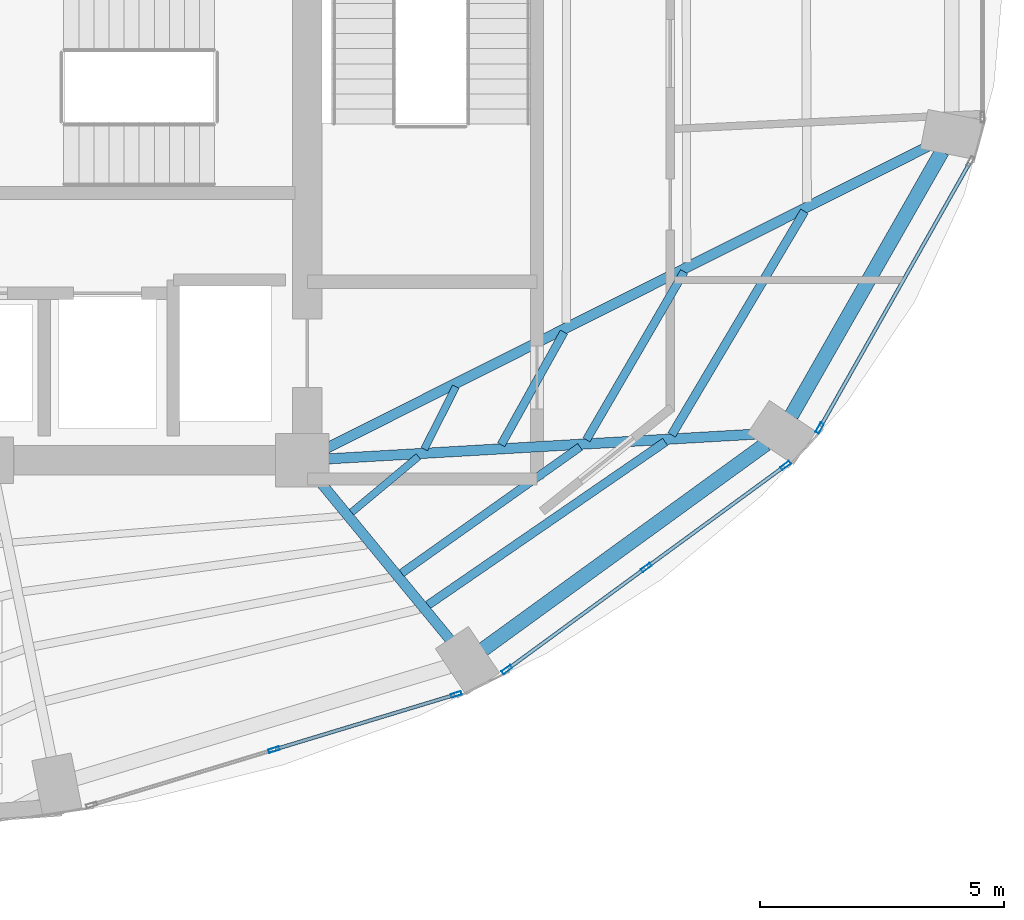
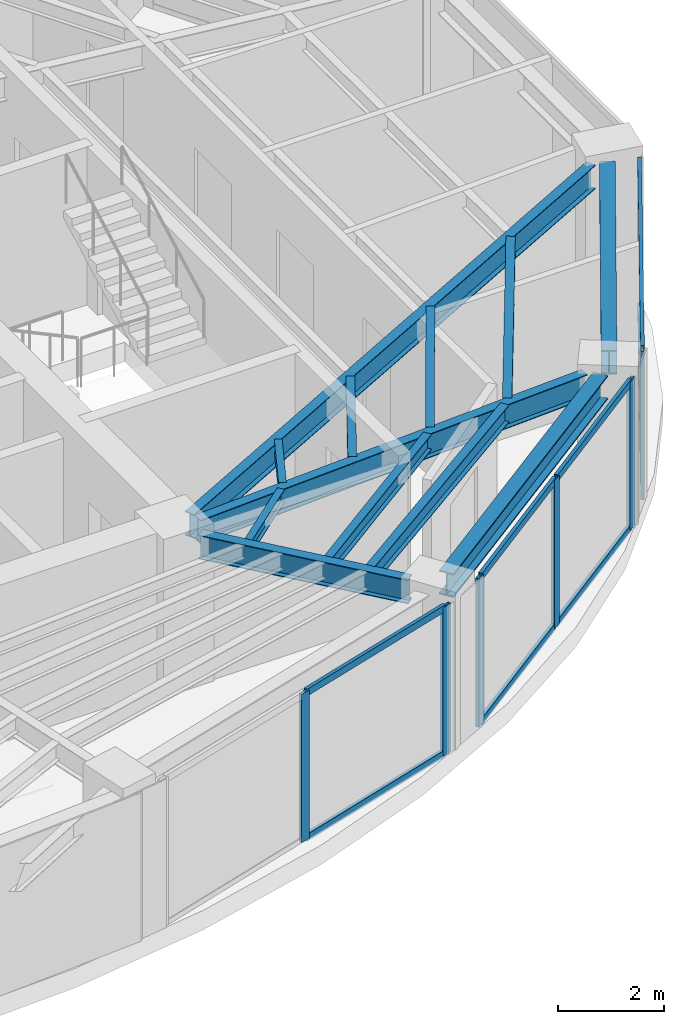
# One storey, part 9 of 20: 14 members, 12 beams, 3 elements without a shape of their own.
"""IFC4 building model written with IfcOpenShell, lengths in metres."""

from ifc_helpers import new_model, si_unit, direction, frame, origin, origin_2d, place, context, subcontext, project, spatial, hollow_rectangle, i_section, extrude, material, layer, layer_set, material_profile, profile_set, type_object, element, aggregate, save


model = new_model("IFC4")

# Units and contexts
model_context = context("Model", 3, precision=1e-05, world=origin(), true_north=direction((0.0, 1.0)))
body_context = subcontext(model_context, "Body", "Model", "MODEL_VIEW")
ifc_project = project(units=[si_unit("LENGTHUNIT", "METRE"), si_unit("AREAUNIT", "SQUARE_METRE"), si_unit("VOLUMEUNIT", "CUBIC_METRE"), si_unit("PLANEANGLEUNIT", "RADIAN"), si_unit("MASSUNIT", "GRAM", prefix="KILO")], contexts=[model_context])

# Site, building, storey
site_placement = place(None, origin())
site = spatial("IfcSite", under=ifc_project, at=site_placement, CompositionType="ELEMENT")
building_placement = place(site_placement, origin())
building = spatial("IfcBuilding", under=site, at=building_placement, Name="Lazwardi Medical Tower", CompositionType="ELEMENT")
storey_placement = place(building_placement, frame((0.0, 0.0, 138.2880859375)))
storey = spatial("IfcBuildingStorey", under=building, at=storey_placement, Name="L35", CompositionType="ELEMENT", Elevation=138.2880859375)

# Beams
ifc_material_1 = material(Name="Steel S355", Category="steel")
ifc_material_profile_1 = material_profile(ifc_material_1, i_section(OverallWidth=0.300048828125, OverallDepth=0.550048828125, WebThickness=0.014892578125, FlangeThickness=0.029052734375, at=origin_2d()), Name="HEB 550")
ifc_profile_set_1 = profile_set([ifc_material_profile_1], Name="Steel S355")
beam_type_1 = type_object("IfcBeamType", Name="BM-RB-Z3", PredefinedType="BEAM", material=ifc_profile_set_1)
beam_1_placement = place(storey_placement, frame((49.310302734375, 16.520751953125, 3.15283203125), z_axis=(0.809127570774, 0.587633026824, 0.0), x_axis=(-0.587633026824, 0.809127570774, 0.0)))
element("IfcBeam", 1, at=beam_1_placement, inside=storey, type_object=beam_type_1, Name="Ring beam RB-04 B02 L35", PredefinedType="BEAM", context=body_context, shape_type="SweptSolid", body=[
    extrude(i_section(OverallWidth=0.300048828125, OverallDepth=0.550048828125, WebThickness=0.014892578125, FlangeThickness=0.029052734375, at=origin_2d()), origin(), (0.0, 0.0, 1.0), 7.170166015625),
])
beam_2_placement = place(storey_placement, frame((55.6337890625, 21.316650390625, 3.15283203125), z_axis=(0.495477752551, 0.868620628771, 0.0), x_axis=(-0.868620628771, 0.495477752551, 0.0)))
element("IfcBeam", 2, at=beam_2_placement, inside=storey, type_object=beam_type_1, Name="Ring beam RB-04 B03 L35", PredefinedType="BEAM", context=body_context, shape_type="SweptSolid", body=[
    extrude(i_section(OverallWidth=0.300048828125, OverallDepth=0.550048828125, WebThickness=0.014892578125, FlangeThickness=0.029052734375, at=origin_2d()), origin(), (0.0, 0.0, 1.0), 6.244384765625),
])
ifc_material_profile_2 = material_profile(ifc_material_1, i_section(OverallWidth=0.2099609375, OverallDepth=0.550048828125, WebThickness=0.010986328125, FlangeThickness=0.01708984375, at=origin_2d()), Name="IPE 550")
ifc_profile_set_2 = profile_set([ifc_material_profile_2], Name="Steel S355")
beam_type_2 = type_object("IfcBeamType", Name="BM-RG-W2", PredefinedType="BEAM", material=ifc_profile_set_2)
beam_3_placement = place(storey_placement, frame((48.630615234375, 16.71826171875, 3.15283203125), z_axis=(-0.635555639966, 0.772055068312, 0.0), x_axis=(-0.772055068312, -0.635555639966, 0.0)))
element("IfcBeam", 3, at=beam_3_placement, inside=storey, type_object=beam_type_2, Name="Radial girder RG-03 R02 L35", PredefinedType="BEAM", context=body_context, shape_type="SweptSolid", body=[
    extrude(i_section(OverallWidth=0.2099609375, OverallDepth=0.550048828125, WebThickness=0.010986328125, FlangeThickness=0.01708984375, at=origin_2d()), origin(), (0.0, 0.0, 1.0), 4.233642578125),
])
beam_4_placement = place(storey_placement, frame((54.87646484375, 20.936767578125, 3.15283203125), z_axis=(-0.998330154646, -0.057765927014, 0.0), x_axis=(0.057765927014, -0.998330154646, 0.0)))
element("IfcBeam", 4, at=beam_4_placement, inside=storey, type_object=beam_type_2, Name="Radial girder RG-03 R03 L35", PredefinedType="BEAM", context=body_context, shape_type="SweptSolid", body=[
    extrude(i_section(OverallWidth=0.2099609375, OverallDepth=0.550048828125, WebThickness=0.010986328125, FlangeThickness=0.01708984375, at=origin_2d()), origin(), (0.0, 0.0, 1.0), 8.757080078125),
])
beam_5_placement = place(storey_placement, frame((58.42529296875, 26.837158203125, 3.15283203125), z_axis=(-0.893740468624, -0.448584412061, 0.0), x_axis=(0.448584412061, -0.893740468624, 0.0)))
element("IfcBeam", 5, at=beam_5_placement, inside=storey, type_object=beam_type_2, Name="Radial girder RG-03 R04 L35", PredefinedType="BEAM", context=body_context, shape_type="SweptSolid", body=[
    extrude(i_section(OverallWidth=0.2099609375, OverallDepth=0.550048828125, WebThickness=0.010986328125, FlangeThickness=0.01708984375, at=origin_2d()), origin(), (0.0, 0.0, 1.0), 13.815185546875),
])
ifc_material_profile_3 = material_profile(ifc_material_1, i_section(OverallWidth=0.179931640625, OverallDepth=0.39990234375, WebThickness=0.008544921875, FlangeThickness=0.013427734375, at=origin_2d()), Name="IPE 400")
ifc_profile_set_3 = profile_set([ifc_material_profile_3], Name="Steel S355")
beam_type_3 = type_object("IfcBeamType", Name="BM-SJ-01", PredefinedType="JOIST", material=ifc_profile_set_3)
beam_6_placement = place(storey_placement, frame((48.1748046875, 17.4287109375, 3.22802734375), z_axis=(0.823932256005, 0.566688307198, 0.0), x_axis=(-0.566688307198, 0.823932256005, 0.0)))
element("IfcBeam", 6, at=beam_6_placement, inside=storey, type_object=beam_type_3, Name="Secondary joist SJ-01 R1 B02 L35", PredefinedType="JOIST", context=body_context, shape_type="SweptSolid", body=[
    extrude(i_section(OverallWidth=0.179931640625, OverallDepth=0.39990234375, WebThickness=0.008544921875, FlangeThickness=0.013427734375, at=origin_2d()), origin(), (0.0, 0.0, 1.0), 5.91162109375),
])
beam_7_placement = place(storey_placement, frame((53.17919921875, 20.921630859375, 3.22802734375), z_axis=(0.510569396963, 0.859836548935, 0.0), x_axis=(-0.859836548935, 0.510569396963, 0.0)))
element("IfcBeam", 7, at=beam_7_placement, inside=storey, type_object=beam_type_3, Name="Secondary joist SJ-01 R1 B03 L35", PredefinedType="JOIST", context=body_context, shape_type="SweptSolid", body=[
    extrude(i_section(OverallWidth=0.179931640625, OverallDepth=0.39990234375, WebThickness=0.008544921875, FlangeThickness=0.013427734375, at=origin_2d()), origin(), (0.0, 0.0, 1.0), 5.33837890625),
])
ifc_material_profile_4 = material_profile(ifc_material_1, i_section(OverallWidth=0.169921875, OverallDepth=0.360107421875, WebThickness=0.008056640625, FlangeThickness=0.0126953125, at=origin_2d()), Name="IPE 360")
ifc_profile_set_4 = profile_set([ifc_material_profile_4], Name="Steel S355")
beam_type_4 = type_object("IfcBeamType", Name="BM-SJ-02", PredefinedType="JOIST", material=ifc_profile_set_4)
beam_8_placement = place(storey_placement, frame((47.635986328125, 18.08349609375, 3.247802734375), z_axis=(0.816108950798, 0.577898070967, 0.0), x_axis=(-0.577898070967, 0.816108950798, 0.0)))
element("IfcBeam", 8, at=beam_8_placement, inside=storey, type_object=beam_type_4, Name="Secondary joist SJ-02 R2 B02 L35", PredefinedType="JOIST", context=body_context, shape_type="SweptSolid", body=[
    extrude(i_section(OverallWidth=0.169921875, OverallDepth=0.360107421875, WebThickness=0.008056640625, FlangeThickness=0.0126953125, at=origin_2d()), origin(), (0.0, 0.0, 1.0), 4.487060546875),
])
beam_9_placement = place(storey_placement, frame((51.4296875, 20.82080078125, 3.247802734375), z_axis=(0.502665102216, 0.864481228839, 0.0), x_axis=(-0.864481228839, 0.502665102216, 0.0)))
element("IfcBeam", 9, at=beam_9_placement, inside=storey, type_object=beam_type_4, Name="Secondary joist SJ-02 R2 B03 L35", PredefinedType="JOIST", context=body_context, shape_type="SweptSolid", body=[
    extrude(i_section(OverallWidth=0.169921875, OverallDepth=0.360107421875, WebThickness=0.008056640625, FlangeThickness=0.0126953125, at=origin_2d()), origin(), (0.0, 0.0, 1.0), 3.991943359375),
])
beam_10_placement = place(storey_placement, frame((49.6796875, 20.720703125, 3.247802734375), z_axis=(0.487099444348, 0.87334651274, 0.0), x_axis=(-0.87334651274, 0.487099444348, 0.0)))
element("IfcBeam", 10, at=beam_10_placement, inside=storey, type_object=beam_type_4, Name="Secondary joist SJ-02 R3 B03 L35", PredefinedType="JOIST", context=body_context, shape_type="SweptSolid", body=[
    extrude(i_section(OverallWidth=0.169921875, OverallDepth=0.360107421875, WebThickness=0.008056640625, FlangeThickness=0.0126953125, at=origin_2d()), origin(), (0.0, 0.0, 1.0), 2.64599609375),
])
ifc_material_profile_5 = material_profile(ifc_material_1, i_section(OverallWidth=0.14990234375, OverallDepth=0.300048828125, WebThickness=0.007080078125, FlangeThickness=0.0107421875, at=origin_2d()), Name="IPE 300")
ifc_profile_set_5 = profile_set([ifc_material_profile_5], Name="Steel S355")
beam_type_5 = type_object("IfcBeamType", Name="BM-SJ-03", PredefinedType="JOIST", material=ifc_profile_set_5)
beam_11_placement = place(storey_placement, frame((46.608642578125, 19.331787109375, 3.27783203125), z_axis=(0.767437193893, 0.641124132621, 0.0), x_axis=(-0.641124132621, 0.767437193893, 0.0)))
element("IfcBeam", 11, at=beam_11_placement, inside=storey, type_object=beam_type_5, Name="Secondary joist SJ-03 R4 B02 L35", PredefinedType="JOIST", context=body_context, shape_type="SweptSolid", body=[
    extrude(i_section(OverallWidth=0.14990234375, OverallDepth=0.300048828125, WebThickness=0.007080078125, FlangeThickness=0.0107421875, at=origin_2d()), origin(), (0.0, 0.0, 1.0), 1.787841796875),
])
beam_12_placement = place(storey_placement, frame((48.1025390625, 20.631591796875, 3.27783203125), z_axis=(0.450406075332, 0.892823816497, 0.0), x_axis=(-0.892823816497, 0.450406075332, 0.0)))
element("IfcBeam", 12, at=beam_12_placement, inside=storey, type_object=beam_type_5, Name="Secondary joist SJ-03 R4 B03 L35", PredefinedType="JOIST", context=body_context, shape_type="SweptSolid", body=[
    extrude(i_section(OverallWidth=0.14990234375, OverallDepth=0.300048828125, WebThickness=0.007080078125, FlangeThickness=0.0107421875, at=origin_2d()), origin(), (0.0, 0.0, 1.0), 1.4365234375),
])

# Curtain wall, members
ifc_material_2 = material(Name="Anodised bronze aluminium and solar control glazing", Category="aluminium")
ifc_layer = layer(ifc_material_2, 0.195068359375)
ifc_layer_set = layer_set([ifc_layer], Name="Anodised bronze aluminium and solar control glazing")
curtain_wall_type = type_object("IfcCurtainWallType", Name="CW-SYS-03", PredefinedType="NOTDEFINED", material=ifc_layer_set)
curtain_wall_1_placement = place(storey_placement, origin())
curtain_wall_1 = element("IfcCurtainWall", 13, at=curtain_wall_1_placement, inside=storey, type_object=curtain_wall_type, Name="L35 Unitised bronze curtain wall CW-03", PredefinedType="NOTDEFINED")
ifc_material_3 = material(Name="Anodised bronze aluminium", Category="aluminium")
ifc_material_profile_6 = material_profile(ifc_material_3, hollow_rectangle(XDim=0.074951171875, YDim=0.219970703125, WallThickness=0.00390625, at=origin_2d()), Name="ALU-MULLION 220x75x4")
ifc_profile_set_6 = profile_set([ifc_material_profile_6], Name="Anodised bronze aluminium")
member_type_1 = type_object("IfcMemberType", Name="CW-MUL-01", PredefinedType="MULLION", material=ifc_profile_set_6)
member_1_placement = place(storey_placement, frame((45.01513671875, 14.461181640625, 0.0), z_axis=(0.0, 0.0, 1.0), x_axis=(-0.290280785441, 0.956941516292, 0.0)))
member_1 = element("IfcMember", 14, at=member_1_placement, type_object=member_type_1, Name="CW-03 mullion 2", PredefinedType="MULLION", context=body_context, shape_type="SweptSolid", body=[
    extrude(hollow_rectangle(XDim=0.074951171875, YDim=0.219970703125, WallThickness=0.00390625, at=origin_2d()), origin(), (0.0, 0.0, 1.0), 3.427978515625),
])
member_2_placement = place(storey_placement, frame((48.758056640625, 15.5966796875, 0.0), z_axis=(0.0, 0.0, 1.0), x_axis=(-0.290280785441, 0.956941516292, 0.0)))
member_2 = element("IfcMember", 15, at=member_2_placement, type_object=member_type_1, Name="CW-03 mullion 3", PredefinedType="MULLION", context=body_context, shape_type="SweptSolid", body=[
    extrude(hollow_rectangle(XDim=0.074951171875, YDim=0.219970703125, WallThickness=0.00390625, at=origin_2d()), origin(), (0.0, 0.0, 1.0), 3.427978515625),
])

curtain_wall_2_placement = place(storey_placement, origin())
curtain_wall_2 = element("IfcCurtainWall", 16, at=curtain_wall_2_placement, inside=storey, type_object=curtain_wall_type, Name="L35 Unitised bronze curtain wall CW-03", PredefinedType="NOTDEFINED")
member_3_placement = place(storey_placement, frame((49.795654296875, 16.105224609375, 0.0), z_axis=(0.0, 0.0, 1.0), x_axis=(-0.590833862635, 0.806793249082, 0.0)))
member_3 = element("IfcMember", 17, at=member_3_placement, type_object=member_type_1, Name="CW-03 mullion 1", PredefinedType="MULLION", context=body_context, shape_type="SweptSolid", body=[
    extrude(hollow_rectangle(XDim=0.074951171875, YDim=0.219970703125, WallThickness=0.00390625, at=origin_2d()), origin(), (0.0, 0.0, 1.0), 3.427978515625),
])
member_4_placement = place(storey_placement, frame((52.65771484375, 18.201171875, 0.0), z_axis=(0.0, 0.0, 1.0), x_axis=(-0.590833862635, 0.806793249082, 0.0)))
member_4 = element("IfcMember", 18, at=member_4_placement, type_object=member_type_1, Name="CW-03 mullion 2", PredefinedType="MULLION", context=body_context, shape_type="SweptSolid", body=[
    extrude(hollow_rectangle(XDim=0.074951171875, YDim=0.219970703125, WallThickness=0.00390625, at=origin_2d()), origin(), (0.0, 0.0, 1.0), 3.427978515625),
])
member_5_placement = place(storey_placement, frame((55.519775390625, 20.297119140625, 0.0), z_axis=(0.0, 0.0, 1.0), x_axis=(-0.590833862635, 0.806793249082, 0.0)))
member_5 = element("IfcMember", 19, at=member_5_placement, type_object=member_type_1, Name="CW-03 mullion 3", PredefinedType="MULLION", context=body_context, shape_type="SweptSolid", body=[
    extrude(hollow_rectangle(XDim=0.074951171875, YDim=0.219970703125, WallThickness=0.00390625, at=origin_2d()), origin(), (0.0, 0.0, 1.0), 3.427978515625),
])

# Curtain wall, member
curtain_wall_3_placement = place(storey_placement, origin())
curtain_wall_3 = element("IfcCurtainWall", 20, at=curtain_wall_3_placement, inside=storey, type_object=curtain_wall_type, Name="L35 Unitised bronze curtain wall CW-03", PredefinedType="NOTDEFINED")
member_6_placement = place(storey_placement, frame((56.217529296875, 21.063232421875, 0.0), z_axis=(0.0, 0.0, 1.0), x_axis=(-0.870418989303, 0.492311672683, 0.0)))
member_6 = element("IfcMember", 21, at=member_6_placement, type_object=member_type_1, Name="CW-03 mullion 1", PredefinedType="MULLION", context=body_context, shape_type="SweptSolid", body=[
    extrude(hollow_rectangle(XDim=0.074951171875, YDim=0.219970703125, WallThickness=0.00390625, at=origin_2d()), origin(), (0.0, 0.0, 1.0), 3.427978515625),
])

# Member
ifc_material_profile_7 = material_profile(ifc_material_3, hollow_rectangle(XDim=0.074951171875, YDim=0.159912109375, WallThickness=0.00390625, at=origin_2d()), Name="ALU-TRANSOM 160x75x4")
ifc_profile_set_7 = profile_set([ifc_material_profile_7], Name="Anodised bronze aluminium")
member_type_2 = type_object("IfcMemberType", Name="CW-TRN-01", PredefinedType="USERDEFINED", material=ifc_profile_set_7)
member_7_placement = place(storey_placement, frame((45.051025390625, 14.47216796875, 0.037353515625), z_axis=(0.956930154175, 0.290318239233, 0.0), x_axis=(-0.290318239233, 0.956930154175, 0.0)))
member_7 = element("IfcMember", 22, at=member_7_placement, type_object=member_type_2, Name="CW-03 transom 2.1", ObjectType="TRANSOM", PredefinedType="USERDEFINED", context=body_context, shape_type="SweptSolid", body=[
    extrude(hollow_rectangle(XDim=0.074951171875, YDim=0.159912109375, WallThickness=0.00390625, at=origin_2d()), origin(), (0.0, 0.0, 1.0), 3.83642578125),
])

member_8_placement = place(storey_placement, frame((45.051025390625, 14.47216796875, 3.390380859375), z_axis=(0.956930154175, 0.290318239233, 0.0), x_axis=(-0.290318239233, 0.956930154175, 0.0)))
member_8 = element("IfcMember", 23, at=member_8_placement, type_object=member_type_2, Name="CW-03 transom 2.2", ObjectType="TRANSOM", PredefinedType="USERDEFINED", context=body_context, shape_type="SweptSolid", body=[
    extrude(hollow_rectangle(XDim=0.074951171875, YDim=0.159912109375, WallThickness=0.00390625, at=origin_2d()), origin(), (0.0, 0.0, 1.0), 3.83642578125),
])

aggregate(curtain_wall_1, [member_1, member_2, member_7, member_8])

member_9_placement = place(storey_placement, frame((49.825927734375, 16.127197265625, 0.037353515625), z_axis=(0.806773646358, 0.590860629542, 0.0), x_axis=(-0.590860629542, 0.806773646358, 0.0)))
member_9 = element("IfcMember", 24, at=member_9_placement, type_object=member_type_2, Name="CW-03 transom 1.1", ObjectType="TRANSOM", PredefinedType="USERDEFINED", context=body_context, shape_type="SweptSolid", body=[
    extrude(hollow_rectangle(XDim=0.074951171875, YDim=0.159912109375, WallThickness=0.00390625, at=origin_2d()), origin(), (0.0, 0.0, 1.0), 3.472412109375),
])

member_10_placement = place(storey_placement, frame((49.825927734375, 16.127197265625, 3.390380859375), z_axis=(0.806773646358, 0.590860629542, 0.0), x_axis=(-0.590860629542, 0.806773646358, 0.0)))
member_10 = element("IfcMember", 25, at=member_10_placement, type_object=member_type_2, Name="CW-03 transom 1.2", ObjectType="TRANSOM", PredefinedType="USERDEFINED", context=body_context, shape_type="SweptSolid", body=[
    extrude(hollow_rectangle(XDim=0.074951171875, YDim=0.159912109375, WallThickness=0.00390625, at=origin_2d()), origin(), (0.0, 0.0, 1.0), 3.472412109375),
])

member_11_placement = place(storey_placement, frame((52.68798828125, 18.22314453125, 0.037353515625), z_axis=(0.806773646358, 0.590860629542, 0.0), x_axis=(-0.590860629542, 0.806773646358, 0.0)))
member_11 = element("IfcMember", 26, at=member_11_placement, type_object=member_type_2, Name="CW-03 transom 2.1", ObjectType="TRANSOM", PredefinedType="USERDEFINED", context=body_context, shape_type="SweptSolid", body=[
    extrude(hollow_rectangle(XDim=0.074951171875, YDim=0.159912109375, WallThickness=0.00390625, at=origin_2d()), origin(), (0.0, 0.0, 1.0), 3.472412109375),
])

member_12_placement = place(storey_placement, frame((52.68798828125, 18.22314453125, 3.390380859375), z_axis=(0.806773646358, 0.590860629542, 0.0), x_axis=(-0.590860629542, 0.806773646358, 0.0)))
member_12 = element("IfcMember", 27, at=member_12_placement, type_object=member_type_2, Name="CW-03 transom 2.2", ObjectType="TRANSOM", PredefinedType="USERDEFINED", context=body_context, shape_type="SweptSolid", body=[
    extrude(hollow_rectangle(XDim=0.074951171875, YDim=0.159912109375, WallThickness=0.00390625, at=origin_2d()), origin(), (0.0, 0.0, 1.0), 3.472412109375),
])

aggregate(curtain_wall_2, [member_3, member_4, member_5, member_9, member_10, member_11, member_12])

member_13_placement = place(storey_placement, frame((56.236083984375, 21.095947265625, 0.037353515625), z_axis=(0.492322860598, 0.870412661289, 0.0), x_axis=(-0.870412661289, 0.492322860598, 0.0)))
member_13 = element("IfcMember", 28, at=member_13_placement, type_object=member_type_2, Name="CW-03 transom 1.1", ObjectType="TRANSOM", PredefinedType="USERDEFINED", context=body_context, shape_type="SweptSolid", body=[
    extrude(hollow_rectangle(XDim=0.074951171875, YDim=0.159912109375, WallThickness=0.00390625, at=origin_2d()), origin(), (0.0, 0.0, 1.0), 6.20849609375),
])

member_14_placement = place(storey_placement, frame((56.236083984375, 21.095947265625, 3.390380859375), z_axis=(0.492322860598, 0.870412661289, 0.0), x_axis=(-0.870412661289, 0.492322860598, 0.0)))
member_14 = element("IfcMember", 29, at=member_14_placement, type_object=member_type_2, Name="CW-03 transom 1.2", ObjectType="TRANSOM", PredefinedType="USERDEFINED", context=body_context, shape_type="SweptSolid", body=[
    extrude(hollow_rectangle(XDim=0.074951171875, YDim=0.159912109375, WallThickness=0.00390625, at=origin_2d()), origin(), (0.0, 0.0, 1.0), 6.20849609375),
])

aggregate(curtain_wall_3, [member_6, member_13, member_14])

save(model, "model.ifc")
